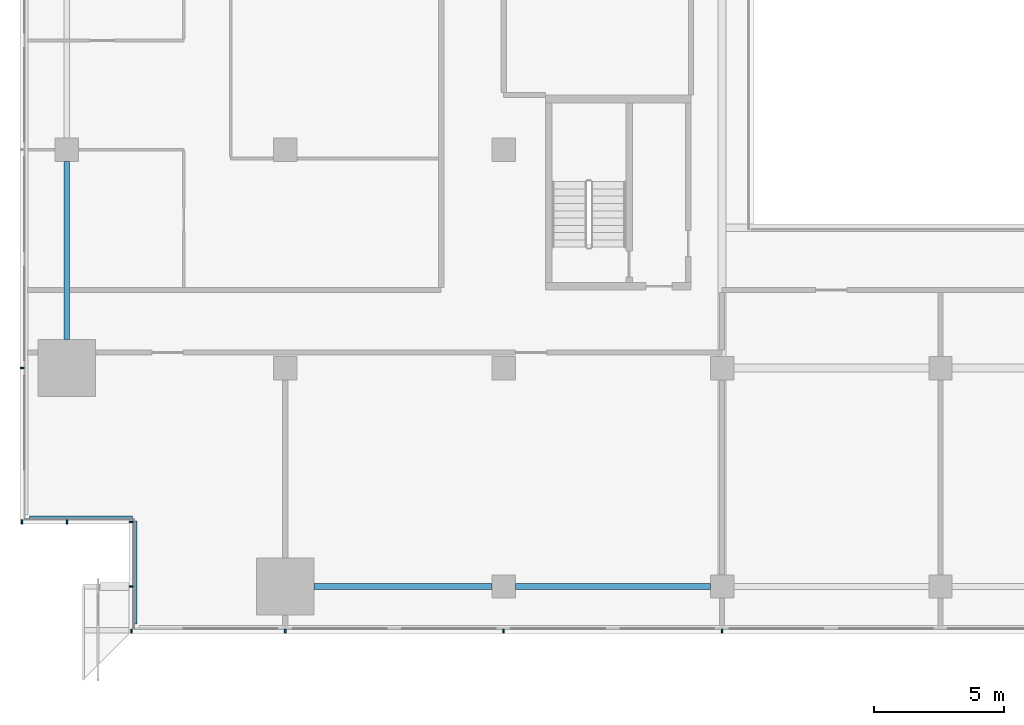
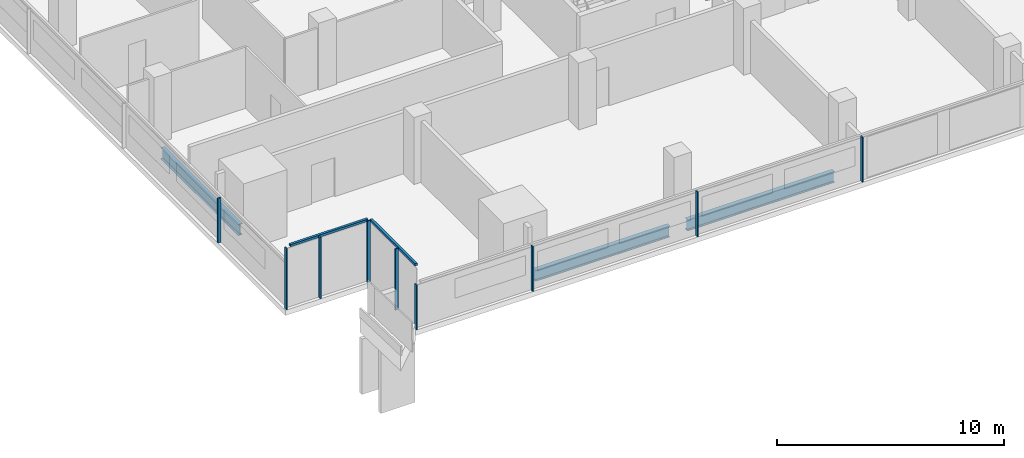
# One storey, part 2 of 25: 11 members, 3 beams, 4 elements without a shape of their own.
"""IFC4 building model written with IfcOpenShell, lengths in metres."""

from ifc_helpers import new_model, si_unit, direction, frame, origin, origin_2d, place, context, subcontext, project, spatial, rectangle, i_section, extrude, material, material_profile, profile_set, type_object, element, aggregate, save


model = new_model("IFC4")

# Units and contexts
model_context = context("Model", 3, precision=1e-05, world=origin(), true_north=direction((0.0, 1.0)))
body_context = subcontext(model_context, "Body", "Model", "MODEL_VIEW")
ifc_project = project(units=[si_unit("LENGTHUNIT", "METRE"), si_unit("AREAUNIT", "SQUARE_METRE"), si_unit("VOLUMEUNIT", "CUBIC_METRE"), si_unit("PLANEANGLEUNIT", "RADIAN"), si_unit("MASSUNIT", "GRAM", prefix="KILO")], contexts=[model_context])

# Site, building, storey
site_placement = place(None, origin())
site = spatial("IfcSite", under=ifc_project, at=site_placement, CompositionType="ELEMENT")
building_placement = place(site_placement, origin())
building = spatial("IfcBuilding", under=site, at=building_placement, Name="Saffron Gate Tower", CompositionType="ELEMENT")
storey_placement = place(building_placement, frame((0.0, 0.0, 80.39990234375)))
storey = spatial("IfcBuildingStorey", under=building, at=storey_placement, Name="L19", CompositionType="ELEMENT", Elevation=80.39990234375)

# Beams
ifc_material_1 = material(Name="Structural steel S355", Category="steel")
ifc_material_profile_1 = material_profile(ifc_material_1, i_section(OverallWidth=0.219970703125, OverallDepth=0.60009765625, WebThickness=0.011962890625, FlangeThickness=0.01904296875, FilletRadius=0.02392578125, at=origin_2d()))
ifc_profile_set_1 = profile_set([ifc_material_profile_1], Name="Structural steel S355")
beam_type = type_object("IfcBeamType", Name="B16 IPE 600", PredefinedType="SPANDREL", material=ifc_profile_set_1)
for number, where, z_axis, x_axis, name in (
    (1, (49.800048828125, 41.300048828125, -0.579833984375), (0.0, 1.0, 0.0), (-1.0, 0.0, 0.0), "B16 SPANDREL BEAM"),
    (2, (59.300048828125, 31.800048828125, -0.579833984375), (1.0, 0.0, 0.0), (0.0, 1.0, 0.0), "B16 SPANDREL BEAM"),
):
    element("IfcBeam", number, at=place(storey_placement, frame(where, z_axis=z_axis, x_axis=x_axis)), inside=storey, type_object=beam_type, Name=name, PredefinedType="SPANDREL", context=body_context, shape_type="SweptSolid", body=[
        extrude(i_section(OverallWidth=0.219970703125, OverallDepth=0.60009765625, WebThickness=0.011962890625, FlangeThickness=0.01904296875, FilletRadius=0.02392578125, at=origin_2d()), origin(), (0.0, 0.0, 1.0), 6.849853515625),
    ])
beam_placement = place(storey_placement, frame((67.050048828125, 31.800048828125, -0.579833984375), z_axis=(1.0, 0.0, 0.0), x_axis=(0.0, 1.0, 0.0)))
element("IfcBeam", 3, at=beam_placement, inside=storey, type_object=beam_type, Name="B16 SPANDREL BEAM", PredefinedType="SPANDREL", context=body_context, shape_type="SweptSolid", body=[
    extrude(i_section(OverallWidth=0.219970703125, OverallDepth=0.60009765625, WebThickness=0.011962890625, FlangeThickness=0.01904296875, FilletRadius=0.02392578125, at=origin_2d()), origin(), (0.0, 0.0, 1.0), 7.5),
])

# Curtain wall, members
ifc_material_2 = material(Name="Aluminium, bronze anodised", Category="aluminium")
curtain_wall_type_1 = type_object("IfcCurtainWallType", Name="CWS1 curtain wall front facade", PredefinedType="NOTDEFINED", material=ifc_material_2)
curtain_wall_1_placement = place(storey_placement, origin())
curtain_wall_1 = element("IfcCurtainWall", 4, at=curtain_wall_1_placement, inside=storey, type_object=curtain_wall_type_1, Name="CWS1 run 1", PredefinedType="NOTDEFINED")
ifc_material_profile_2 = material_profile(ifc_material_2, rectangle(XDim=0.159912109375, YDim=0.06005859375, at=origin_2d()))
ifc_profile_set_2 = profile_set([ifc_material_profile_2], Name="Aluminium, bronze anodised")
member_type_1 = type_object("IfcMemberType", Name="CWS1 mullion 60x160", PredefinedType="MULLION", material=ifc_profile_set_2)
member_1_placement = place(storey_placement, frame((52.280029296875, 30.080078125, 0.0), z_axis=(0.0, 0.0, 1.0), x_axis=(0.0, 1.0, 0.0)))
member_1 = element("IfcMember", 5, at=member_1_placement, type_object=member_type_1, Name="CWS1 mullion 1", PredefinedType="MULLION", context=body_context, shape_type="SweptSolid", body=[
    extrude(rectangle(XDim=0.159912109375, YDim=0.06005859375, at=origin_2d()), origin(), (0.0, 0.0, 1.0), 2.41015625),
])
member_2_placement = place(storey_placement, frame((58.199951171875, 30.080078125, 0.0), z_axis=(0.0, 0.0, 1.0), x_axis=(0.0, 1.0, 0.0)))
member_2 = element("IfcMember", 6, at=member_2_placement, type_object=member_type_1, Name="CWS1 mullion 2", PredefinedType="MULLION", context=body_context, shape_type="SweptSolid", body=[
    extrude(rectangle(XDim=0.159912109375, YDim=0.06005859375, at=origin_2d()), origin(), (0.0, 0.0, 1.0), 2.41015625),
])
member_3_placement = place(storey_placement, frame((66.60009765625, 30.080078125, 0.0), z_axis=(0.0, 0.0, 1.0), x_axis=(0.0, 1.0, 0.0)))
member_3 = element("IfcMember", 7, at=member_3_placement, type_object=member_type_1, Name="CWS1 mullion 3", PredefinedType="MULLION", context=body_context, shape_type="SweptSolid", body=[
    extrude(rectangle(XDim=0.159912109375, YDim=0.06005859375, at=origin_2d()), origin(), (0.0, 0.0, 1.0), 2.41015625),
])
member_4_placement = place(storey_placement, frame((75.0, 30.080078125, 0.0), z_axis=(0.0, 0.0, 1.0), x_axis=(0.0, 1.0, 0.0)))
member_4 = element("IfcMember", 8, at=member_4_placement, type_object=member_type_1, Name="CWS1 mullion 4", PredefinedType="MULLION", context=body_context, shape_type="SweptSolid", body=[
    extrude(rectangle(XDim=0.159912109375, YDim=0.06005859375, at=origin_2d()), origin(), (0.0, 0.0, 1.0), 2.41015625),
])
aggregate(curtain_wall_1, [member_1, member_2, member_3, member_4])

# Curtain wall, member
curtain_wall_type_2 = type_object("IfcCurtainWallType", Name="CWS2 curtain wall side facades", PredefinedType="NOTDEFINED", material=ifc_material_2)
curtain_wall_2_placement = place(storey_placement, origin())
curtain_wall_2 = element("IfcCurtainWall", 9, at=curtain_wall_2_placement, inside=storey, type_object=curtain_wall_type_2, Name="CWS2 run 10", PredefinedType="NOTDEFINED")
ifc_material_profile_3 = material_profile(ifc_material_2, rectangle(XDim=0.159912109375, YDim=0.06005859375, at=origin_2d()))
ifc_profile_set_3 = profile_set([ifc_material_profile_3], Name="Aluminium, bronze anodised")
member_type_2 = type_object("IfcMemberType", Name="CWS2 mullion 60x160", PredefinedType="MULLION", material=ifc_profile_set_3)
member_5_placement = place(storey_placement, frame((48.080078125, 40.199951171875, 0.0), z_axis=(0.0, 0.0, 1.0), x_axis=(1.0, 0.0, 0.0)))
member_5 = element("IfcMember", 10, at=member_5_placement, type_object=member_type_2, Name="CWS2 mullion 5", PredefinedType="MULLION", context=body_context, shape_type="SweptSolid", body=[
    extrude(rectangle(XDim=0.159912109375, YDim=0.06005859375, at=origin_2d()), origin(), (0.0, 0.0, 1.0), 2.41015625),
])
aggregate(curtain_wall_2, [member_5])

curtain_wall_type_3 = type_object("IfcCurtainWallType", Name="CWS4 curtain wall corner returns", PredefinedType="NOTDEFINED", material=ifc_material_2)
curtain_wall_3_placement = place(storey_placement, origin())
curtain_wall_3 = element("IfcCurtainWall", 11, at=curtain_wall_3_placement, inside=storey, type_object=curtain_wall_type_3, Name="CWS4 run 11", PredefinedType="NOTDEFINED")
ifc_material_profile_4 = material_profile(ifc_material_2, rectangle(XDim=0.1201171875, YDim=0.1201171875, at=origin_2d()))
ifc_profile_set_4 = profile_set([ifc_material_profile_4], Name="Aluminium, bronze anodised")
member_type_3 = type_object("IfcMemberType", Name="CWS4 head transom", PredefinedType="USERDEFINED", material=ifc_profile_set_4)
member_6_placement = place(storey_placement, frame((48.367919921875, 34.447998046875, 3.239990234375), z_axis=(1.0, 0.0, 0.0), x_axis=(0.0, 1.0, 0.0)))
member_6 = element("IfcMember", 12, at=member_6_placement, type_object=member_type_3, Name="CWS4 head transom", ObjectType="TRANSOM", PredefinedType="USERDEFINED", context=body_context, shape_type="SweptSolid", body=[
    extrude(rectangle(XDim=0.1201171875, YDim=0.1201171875, at=origin_2d()), origin(), (0.0, 0.0, 1.0), 3.9599609375),
])

curtain_wall_4_placement = place(storey_placement, origin())
curtain_wall_4 = element("IfcCurtainWall", 13, at=curtain_wall_4_placement, inside=storey, type_object=curtain_wall_type_3, Name="CWS4 run 12", PredefinedType="NOTDEFINED")
member_7_placement = place(storey_placement, frame((52.447998046875, 34.327880859375, 3.239990234375), z_axis=(0.0, -1.0, 0.0), x_axis=(1.0, 0.0, 0.0)))
member_7 = element("IfcMember", 14, at=member_7_placement, type_object=member_type_3, Name="CWS4 head transom", ObjectType="TRANSOM", PredefinedType="USERDEFINED", context=body_context, shape_type="SweptSolid", body=[
    extrude(rectangle(XDim=0.1201171875, YDim=0.1201171875, at=origin_2d()), origin(), (0.0, 0.0, 1.0), 3.9599609375),
])

# Member
ifc_material_profile_5 = material_profile(ifc_material_2, rectangle(XDim=0.159912109375, YDim=0.06005859375, at=origin_2d()))
ifc_profile_set_5 = profile_set([ifc_material_profile_5], Name="Aluminium, bronze anodised")
member_type_4 = type_object("IfcMemberType", Name="CWS4 mullion 60x160", PredefinedType="MULLION", material=ifc_profile_set_5)
member_8_placement = place(storey_placement, frame((48.080078125, 34.280029296875, 0.0), z_axis=(0.0, 0.0, 1.0), x_axis=(0.0, 1.0, 0.0)))
member_8 = element("IfcMember", 15, at=member_8_placement, type_object=member_type_4, Name="CWS4 mullion 1", PredefinedType="MULLION", context=body_context, shape_type="SweptSolid", body=[
    extrude(rectangle(XDim=0.159912109375, YDim=0.06005859375, at=origin_2d()), origin(), (0.0, 0.0, 1.0), 3.300048828125),
])

member_9_placement = place(storey_placement, frame((49.800048828125, 34.280029296875, 0.0), z_axis=(0.0, 0.0, 1.0), x_axis=(0.0, 1.0, 0.0)))
member_9 = element("IfcMember", 16, at=member_9_placement, type_object=member_type_4, Name="CWS4 mullion 2", PredefinedType="MULLION", context=body_context, shape_type="SweptSolid", body=[
    extrude(rectangle(XDim=0.159912109375, YDim=0.06005859375, at=origin_2d()), origin(), (0.0, 0.0, 1.0), 3.300048828125),
])

aggregate(curtain_wall_3, [member_8, member_9, member_6])

member_10_placement = place(storey_placement, frame((52.280029296875, 34.280029296875, 0.0), z_axis=(0.0, 0.0, 1.0), x_axis=(1.0, 0.0, 0.0)))
member_10 = element("IfcMember", 17, at=member_10_placement, type_object=member_type_4, Name="CWS4 mullion 1", PredefinedType="MULLION", context=body_context, shape_type="SweptSolid", body=[
    extrude(rectangle(XDim=0.159912109375, YDim=0.06005859375, at=origin_2d()), origin(), (0.0, 0.0, 1.0), 3.300048828125),
])

member_11_placement = place(storey_placement, frame((52.280029296875, 31.800048828125, 0.0), z_axis=(0.0, 0.0, 1.0), x_axis=(1.0, 0.0, 0.0)))
member_11 = element("IfcMember", 18, at=member_11_placement, type_object=member_type_4, Name="CWS4 mullion 2", PredefinedType="MULLION", context=body_context, shape_type="SweptSolid", body=[
    extrude(rectangle(XDim=0.159912109375, YDim=0.06005859375, at=origin_2d()), origin(), (0.0, 0.0, 1.0), 3.300048828125),
])

aggregate(curtain_wall_4, [member_10, member_11, member_7])

save(model, "model.ifc")
